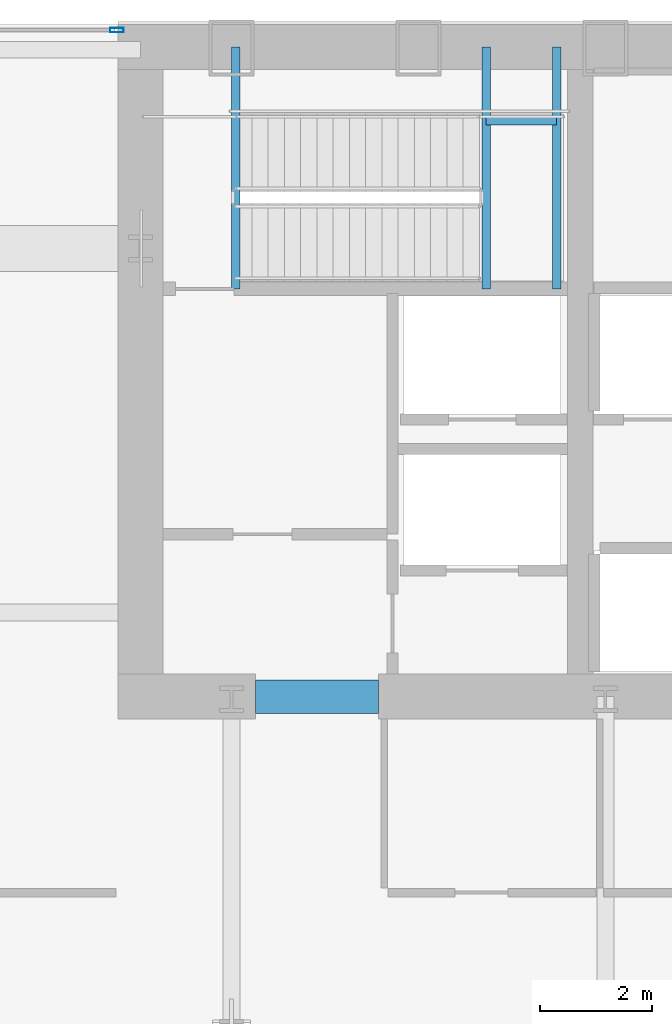
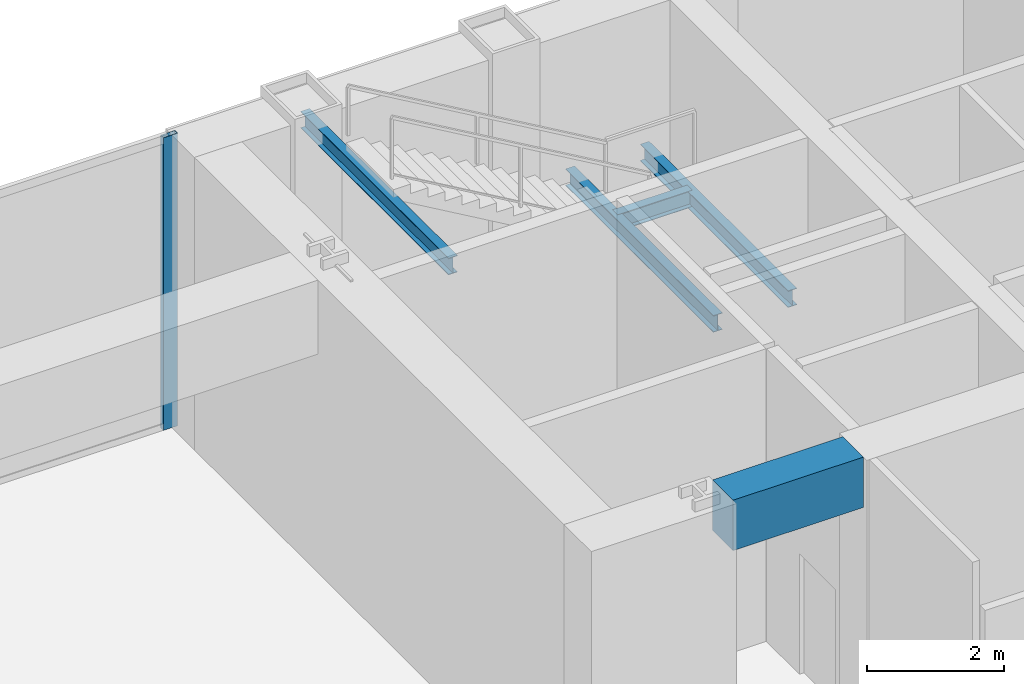
# One storey, part 11 of 26: 5 beams, 1 member, 1 element without a shape of its own.
"""IFC4 building model written with IfcOpenShell, lengths in metres."""

from ifc_helpers import new_model, si_unit, direction, frame, origin, origin_2d, place, context, subcontext, project, spatial, rectangle, hollow_rectangle, i_section, extrude, material, material_profile, profile_set, type_object, element, aggregate, save


model = new_model("IFC4")

# Units and contexts
model_context = context("Model", 3, precision=1e-05, world=origin(), true_north=direction((0.0, 1.0)))
body_context = subcontext(model_context, "Body", "Model", "MODEL_VIEW")
ifc_project = project(units=[si_unit("LENGTHUNIT", "METRE"), si_unit("AREAUNIT", "SQUARE_METRE"), si_unit("VOLUMEUNIT", "CUBIC_METRE"), si_unit("PLANEANGLEUNIT", "RADIAN"), si_unit("MASSUNIT", "GRAM", prefix="KILO")], contexts=[model_context])

# Site, building, storey
site_placement = place(None, origin())
site = spatial("IfcSite", under=ifc_project, at=site_placement, CompositionType="ELEMENT")
building_placement = place(site_placement, origin())
building = spatial("IfcBuilding", under=site, at=building_placement, Name="Khoronbel Lancet Exchange", CompositionType="ELEMENT")
storey_placement = place(building_placement, frame((0.0, 0.0, 20.39990234375)))
storey = spatial("IfcBuildingStorey", under=building, at=storey_placement, Name="L04", CompositionType="ELEMENT", Elevation=20.39990234375)

# Beams
ifc_material_1 = material(Name="Steel S355", Category="steel")
ifc_material_profile_1 = material_profile(ifc_material_1, i_section(OverallWidth=0.14990234375, OverallDepth=0.300048828125, WebThickness=0.007080078125, FlangeThickness=0.0107421875, at=origin_2d()), Name="IPE 300")
ifc_profile_set_1 = profile_set([ifc_material_profile_1], Name="Steel S355")
beam_type_1 = type_object("IfcBeamType", Name="BM-BJ8", PredefinedType="JOIST", material=ifc_profile_set_1)
for number, where, z_axis, x_axis, name in (
    (1, (22.77001953125, 48.97998046875, 2.35009765625), (0.0, 1.0, 0.0), (-1.0, 0.0, 0.0), "Level L04 stair ST1 landing bearer beam 1"),
    (2, (24.030029296875, 48.97998046875, 2.35009765625), (0.0, 1.0, 0.0), (-1.0, 0.0, 0.0), "Level L04 stair ST1 rear landing bearer beam 1"),
):
    element("IfcBeam", number, at=place(storey_placement, frame(where, z_axis=z_axis, x_axis=x_axis)), inside=storey, type_object=beam_type_1, Name=name, PredefinedType="JOIST", context=body_context, shape_type="SweptSolid", body=[
        extrude(i_section(OverallWidth=0.14990234375, OverallDepth=0.300048828125, WebThickness=0.007080078125, FlangeThickness=0.0107421875, at=origin_2d()), origin(), (0.0, 0.0, 1.0), 4.320068359375),
    ])
beam_1_placement = place(storey_placement, frame((22.77001953125, 51.97998046875, 2.35009765625), z_axis=(1.0, 0.0, 0.0), x_axis=(0.0, 1.0, 0.0)))
element("IfcBeam", 3, at=beam_1_placement, inside=storey, type_object=beam_type_1, Name="Level L04 stair ST1 landing cross trimmer beam 1", PredefinedType="JOIST", context=body_context, shape_type="SweptSolid", body=[
    extrude(i_section(OverallWidth=0.14990234375, OverallDepth=0.300048828125, WebThickness=0.007080078125, FlangeThickness=0.0107421875, at=origin_2d()), origin(), (0.0, 0.0, 1.0), 1.260009765625),
])
beam_2_placement = place(storey_placement, frame((18.300048828125, 48.97998046875, 4.940185546875), z_axis=(0.0, 1.0, 0.0), x_axis=(-1.0, 0.0, 0.0)))
element("IfcBeam", 4, at=beam_2_placement, inside=storey, type_object=beam_type_1, Name="Level L04 stair ST1 upper-flight arrival trimmer beam", PredefinedType="JOIST", context=body_context, shape_type="SweptSolid", body=[
    extrude(i_section(OverallWidth=0.14990234375, OverallDepth=0.300048828125, WebThickness=0.007080078125, FlangeThickness=0.0107421875, at=origin_2d()), origin(), (0.0, 0.0, 1.0), 4.320068359375),
])
ifc_material_2 = material(Name="Concrete C80/95", Category="concrete")
ifc_material_profile_2 = material_profile(ifc_material_2, rectangle(XDim=0.60009765625, YDim=0.89990234375, at=origin_2d()), Name="RC 600x900")
ifc_profile_set_2 = profile_set([ifc_material_profile_2], Name="Concrete C80/95")
beam_type_2 = type_object("IfcBeamType", Name="BM-BL1", PredefinedType="LINTEL", material=ifc_profile_set_2)
beam_3_placement = place(storey_placement, frame((18.64990234375, 41.699951171875, 4.77001953125), z_axis=(1.0, 0.0, 0.0), x_axis=(0.0, 1.0, 0.0)))
element("IfcBeam", 5, at=beam_3_placement, inside=storey, type_object=beam_type_2, Name="Level L04 rear core coupling lintel L1", PredefinedType="LINTEL", context=body_context, shape_type="SweptSolid", body=[
    extrude(rectangle(XDim=0.60009765625, YDim=0.89990234375, at=origin_2d()), origin(), (0.0, 0.0, 1.0), 2.2001953125),
])

# Curtain wall, member
ifc_material_3 = material(Name="Low-E Solar Control Insulating Glass", Category="glass")
curtain_wall_type = type_object("IfcCurtainWallType", Name="CW-5", PredefinedType="NOTDEFINED", material=ifc_material_3)
curtain_wall_placement = place(storey_placement, origin())
curtain_wall = element("IfcCurtainWall", 6, at=curtain_wall_placement, inside=storey, type_object=curtain_wall_type, Name="Unitised curtain wall CW-L04-NW", PredefinedType="NOTDEFINED")
ifc_material_4 = material(Name="Bronze-Anodised Aluminium 6063-T6", Category="aluminium")
ifc_material_profile_3 = material_profile(ifc_material_4, hollow_rectangle(XDim=0.0849609375, YDim=0.239990234375, WallThickness=0.006103515625, at=origin_2d()), Name="ALU MULLION 85x240")
ifc_profile_set_3 = profile_set([ifc_material_profile_3], Name="Bronze-Anodised Aluminium 6063-T6")
member_type = type_object("IfcMemberType", Name="MEM-CWM1", PredefinedType="MULLION", material=ifc_profile_set_3)
member_placement = place(storey_placement, frame((16.177490234375, 53.60009765625, 0.0), z_axis=(0.0, 0.0, 1.0), x_axis=(0.0, 1.0, 0.0)))
member = element("IfcMember", 7, at=member_placement, type_object=member_type, Name="CW5 mullion 4", PredefinedType="MULLION", context=body_context, shape_type="SweptSolid", body=[
    extrude(hollow_rectangle(XDim=0.0849609375, YDim=0.239990234375, WallThickness=0.006103515625, at=origin_2d()), origin(), (0.0, 0.0, 1.0), 5.22021484375),
])
aggregate(curtain_wall, [member])

save(model, "model.ifc")
